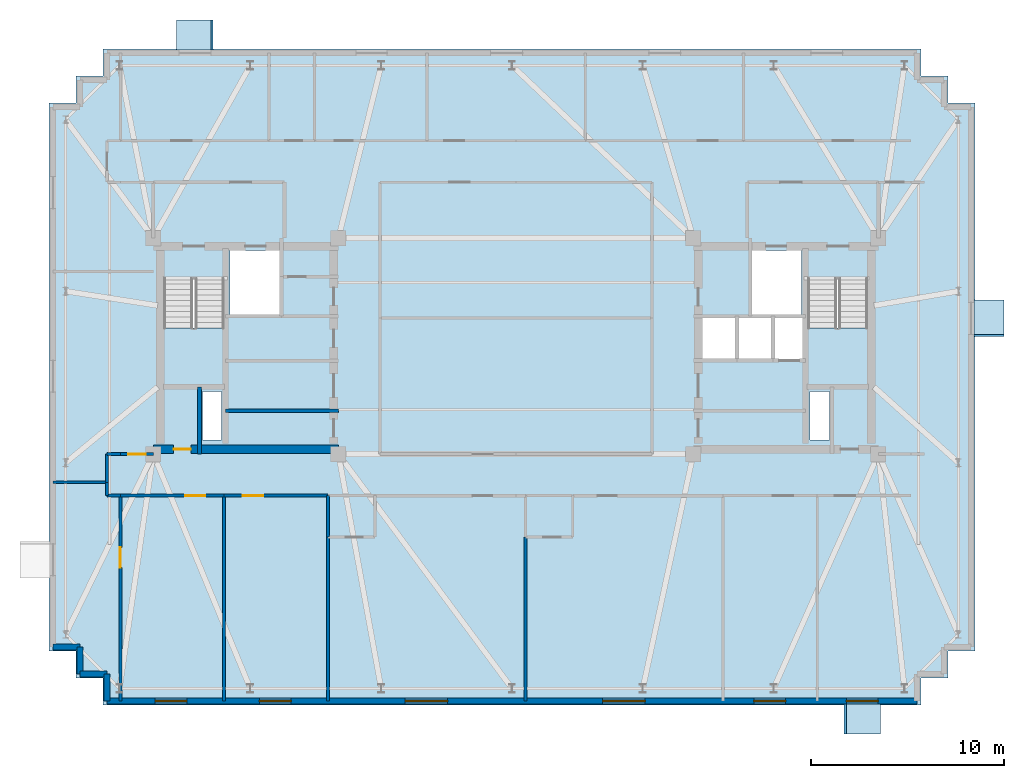
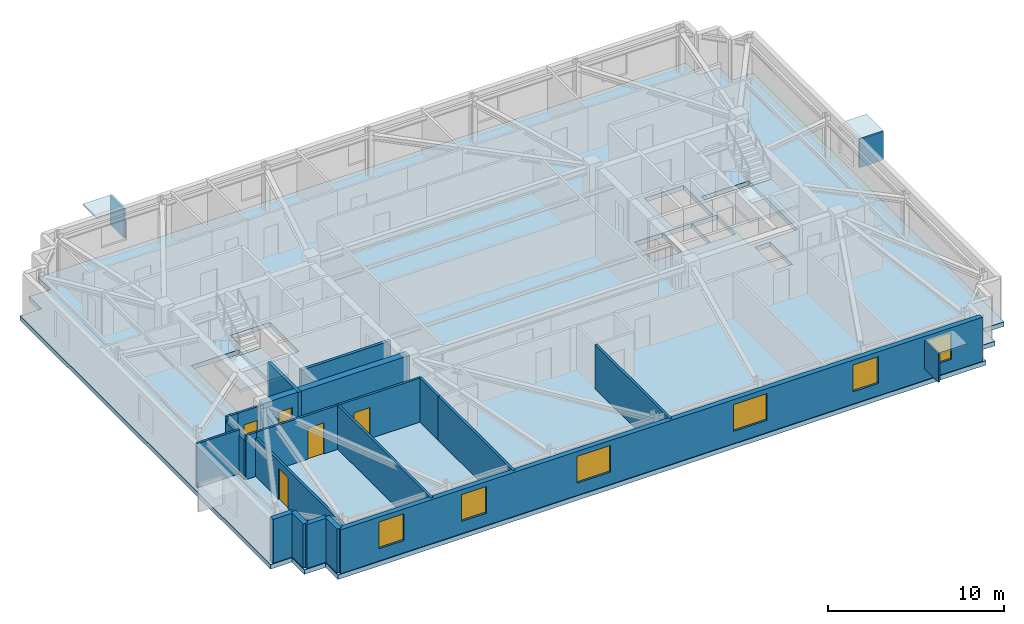
# One storey, part 5 of 11: 21 walls, 6 plates, 6 windows, 5 doors, 3 slabs, 11 openings, 2 elements without a shape of their own.
"""IFC4 building model written with IfcOpenShell, lengths in metres."""

from ifc_helpers import new_model, si_unit, direction, frame, frame_2d, origin, origin_2d, place, context, subcontext, project, spatial, polyline, rectangle, outline, extrude, material, layer, layer_set, type_object, element, fill, aggregate, save


model = new_model("IFC4")

# Units and contexts
model_context = context("Model", 3, precision=1e-05, world=origin(), true_north=direction((0.0, 1.0)))
body_context = subcontext(model_context, "Body", "Model", "MODEL_VIEW")
ifc_project = project(units=[si_unit("LENGTHUNIT", "METRE"), si_unit("AREAUNIT", "SQUARE_METRE"), si_unit("VOLUMEUNIT", "CUBIC_METRE"), si_unit("PLANEANGLEUNIT", "RADIAN"), si_unit("MASSUNIT", "GRAM", prefix="KILO")], contexts=[model_context])

# Site, building, storey
site_placement = place(None, origin())
site = spatial("IfcSite", under=ifc_project, at=site_placement, CompositionType="ELEMENT")
building_placement = place(site_placement, origin())
building = spatial("IfcBuilding", under=site, at=building_placement, Name="Qobustan Lattice House", CompositionType="ELEMENT")
storey_placement = place(building_placement, frame((0.0, 0.0, 251.75)))
storey = spatial("IfcBuildingStorey", under=building, at=storey_placement, Name="L71", CompositionType="ELEMENT", Elevation=251.75)

# Plates
ifc_material_1 = material(Name="Qobustan limestone GFRC", Category="masonry")
ifc_layer_1 = layer(ifc_material_1, 0.1201171875)
ifc_layer_set_1 = layer_set([ifc_layer_1], Name="Qobustan limestone GFRC")
plate_type = type_object("IfcPlateType", Name="SHD-HOOD-BROW", PredefinedType="USERDEFINED", material=ifc_layer_set_1)
plate_1_placement = place(storey_placement, frame((-16.639892578125, 16.1298828125, 2.699951171875), z_axis=(0.0, 0.0, 1.0), x_axis=(1.0, 0.0, 0.0)))
element("IfcPlate", 1, at=plate_1_placement, inside=storey, type_object=plate_type, Name="L71 splayed Qobustan stone hood brow", ObjectType="SUNSHADE", PredefinedType="USERDEFINED", context=body_context, shape_type="SweptSolid", body=[
    extrude(rectangle(XDim=1.889892578125, YDim=1.56005859375, at=origin_2d()), origin(), (0.0, 0.0, 1.0), 0.1201171875),
])
plate_2_placement = place(storey_placement, frame((-15.7548828125, 16.1298828125, 0.7900390625), z_axis=(0.0, 0.0, 1.0), x_axis=(1.0, 0.0, 0.0)))
element("IfcPlate", 2, at=plate_2_placement, inside=storey, type_object=plate_type, Name="L71 splayed Qobustan stone hood cheek", ObjectType="SUNSHADE", PredefinedType="USERDEFINED", context=body_context, shape_type="SweptSolid", body=[
    extrude(rectangle(XDim=0.1201171875, YDim=1.56005859375, at=origin_2d()), origin(), (0.0, 0.0, 1.0), 1.969970703125),
])
plate_3_placement = place(storey_placement, frame((24.530029296875, 1.43994140625, 2.699951171875), z_axis=(0.0, 0.0, 1.0), x_axis=(0.0, -1.0, 0.0)))
element("IfcPlate", 3, at=plate_3_placement, inside=storey, type_object=plate_type, Name="L71 splayed Qobustan stone hood brow", ObjectType="SUNSHADE", PredefinedType="USERDEFINED", context=body_context, shape_type="SweptSolid", body=[
    extrude(rectangle(XDim=1.889892578125, YDim=1.56005859375, at=origin_2d()), origin(), (0.0, 0.0, 1.0), 0.1201171875),
])
plate_4_placement = place(storey_placement, frame((24.530029296875, 0.554931640625, 0.7900390625), z_axis=(0.0, 0.0, 1.0), x_axis=(0.0, -1.0, 0.0)))
element("IfcPlate", 4, at=plate_4_placement, inside=storey, type_object=plate_type, Name="L71 splayed Qobustan stone hood cheek", ObjectType="SUNSHADE", PredefinedType="USERDEFINED", context=body_context, shape_type="SweptSolid", body=[
    extrude(rectangle(XDim=0.1201171875, YDim=1.56005859375, at=origin_2d()), origin(), (0.0, 0.0, 1.0), 1.969970703125),
])
plate_5_placement = place(storey_placement, frame((17.9599609375, -19.330078125, 2.699951171875), z_axis=(0.0, 0.0, 1.0), x_axis=(-1.0, 0.0, 0.0)))
element("IfcPlate", 5, at=plate_5_placement, inside=storey, type_object=plate_type, Name="L71 splayed Qobustan stone hood brow", ObjectType="SUNSHADE", PredefinedType="USERDEFINED", context=body_context, shape_type="SweptSolid", body=[
    extrude(rectangle(XDim=1.889892578125, YDim=1.56005859375, at=origin_2d()), origin(), (0.0, 0.0, 1.0), 0.1201171875),
])
plate_6_placement = place(storey_placement, frame((17.074951171875, -19.330078125, 0.7900390625), z_axis=(0.0, 0.0, 1.0), x_axis=(-1.0, 0.0, 0.0)))
element("IfcPlate", 6, at=plate_6_placement, inside=storey, type_object=plate_type, Name="L71 splayed Qobustan stone hood cheek", ObjectType="SUNSHADE", PredefinedType="USERDEFINED", context=body_context, shape_type="SweptSolid", body=[
    extrude(rectangle(XDim=0.1201171875, YDim=1.56005859375, at=origin_2d()), origin(), (0.0, 0.0, 1.0), 1.969970703125),
])

# Slab
ifc_material_2 = material(Name="Concrete C40/50", Category="concrete")
ifc_layer_2 = layer(ifc_material_2, 0.31005859375)
ifc_layer_set_2 = layer_set([ifc_layer_2], Name="Concrete C40/50")
slab_type_1 = type_object("IfcSlabType", Name="SLB-FLR-310", PredefinedType="FLOOR", material=ifc_layer_set_2)
slab_1_placement = place(storey_placement, frame((0.0, 0.0, -0.31005859375)))
element("IfcSlab", 7, at=slab_1_placement, inside=storey, type_object=slab_type_1, Name="L71 structural floor slab", PredefinedType="FLOOR", context=body_context, shape_type="SweptSolid", body=[
    extrude(outline(polyline([(-21.39990234375, -18.60009765625), (21.0, -18.60009765625), (21.0, -17.199951171875), (22.39990234375, -17.199951171875), (22.39990234375, -15.800048828125), (23.800048828125, -15.800048828125), (23.800048828125, 12.60009765625), (22.39990234375, 12.60009765625), (22.39990234375, 14.0), (21.0, 14.0), (21.0, 15.39990234375), (-21.39990234375, 15.39990234375), (-21.39990234375, 14.0), (-22.800048828125, 14.0), (-22.800048828125, 12.60009765625), (-24.199951171875, 12.60009765625), (-24.199951171875, -15.800048828125), (-22.800048828125, -15.800048828125), (-22.800048828125, -17.199951171875), (-21.39990234375, -17.199951171875), (-21.39990234375, -18.60009765625)]), holes=[polyline([(-18.25, -2.050048828125), (-18.25, 3.489990234375), (-15.1298828125, 3.489990234375), (-15.1298828125, -2.050048828125), (-18.25, -2.050048828125)]), polyline([(15.1298828125, -2.050048828125), (15.1298828125, 3.489990234375), (18.25, 3.489990234375), (18.25, -2.050048828125), (15.1298828125, -2.050048828125)]), polyline([(-14.820068359375, 1.64990234375), (-14.820068359375, 4.9599609375), (-12.25, 4.9599609375), (-12.25, 1.64990234375), (-14.820068359375, 1.64990234375)]), polyline([(12.25, 1.64990234375), (12.25, 4.9599609375), (14.820068359375, 4.9599609375), (14.820068359375, 1.64990234375), (12.25, 1.64990234375)]), polyline([(-16.260009765625, -4.8798828125), (-16.260009765625, -2.360107421875), (-15.260009765625, -2.360107421875), (-15.260009765625, -4.8798828125), (-16.260009765625, -4.8798828125)]), polyline([(15.260009765625, -4.8798828125), (15.260009765625, -2.360107421875), (16.260009765625, -2.360107421875), (16.260009765625, -4.8798828125), (15.260009765625, -4.8798828125)]), polyline([(13.360107421875, -0.679931640625), (13.360107421875, 1.47998046875), (14.97998046875, 1.47998046875), (14.97998046875, -0.679931640625), (13.360107421875, -0.679931640625)]), polyline([(9.6201171875, -0.679931640625), (9.6201171875, 1.47998046875), (11.43994140625, 1.47998046875), (11.43994140625, -0.679931640625), (9.6201171875, -0.679931640625)]), polyline([(11.5, -0.679931640625), (11.5, 1.47998046875), (13.320068359375, 1.47998046875), (13.320068359375, -0.679931640625), (11.5, -0.679931640625)])]), origin(), (0.0, 0.0, 1.0), 0.31005859375),
])

# Stair, slab
ifc_material_3 = material(Name="Concrete C40/50", Category="concrete")
stair_type = type_object("IfcStairType", Name="STR-CORE-DOGLEG", PredefinedType="HALF_TURN_STAIR", material=ifc_material_3)
stair_1_placement = place(storey_placement, origin())
stair_1 = element("IfcStair", 8, at=stair_1_placement, inside=storey, type_object=stair_type, Name="L71 West protected exit stair ST-W1", PredefinedType="HALF_TURN_STAIR")
ifc_material_4 = material(Name="Concrete C40/50", Category="concrete")
ifc_layer_3 = layer(ifc_material_4, 0.199951171875)
ifc_layer_set_3 = layer_set([ifc_layer_3], Name="Concrete C40/50")
slab_type_2 = type_object("IfcSlabType", Name="SLB-LANDING-200", PredefinedType="LANDING", material=ifc_layer_set_3)
slab_2_placement = place(storey_placement, frame((0.0, 0.0, 1.47509765625)))
slab_2 = element("IfcSlab", 9, at=slab_2_placement, type_object=slab_type_2, Name="ST-W1 landing 1", PredefinedType="LANDING", context=body_context, shape_type="SweptSolid", body=[
    extrude(outline(polyline([(-18.25, 0.93505859375), (-18.25, -2.050048828125), (-15.1298828125, -2.050048828125), (-15.1298828125, 0.93505859375), (-18.25, 0.93505859375)])), origin(), (0.0, 0.0, 1.0), 0.199951171875),
])
aggregate(stair_1, [slab_2])

stair_2_placement = place(storey_placement, origin())
stair_2 = element("IfcStair", 10, at=stair_2_placement, inside=storey, type_object=stair_type, Name="L71 East protected exit stair ST-E1", PredefinedType="HALF_TURN_STAIR")
slab_3_placement = place(storey_placement, frame((0.0, 0.0, 1.47509765625)))
slab_3 = element("IfcSlab", 11, at=slab_3_placement, type_object=slab_type_2, Name="ST-E1 landing 1", PredefinedType="LANDING", context=body_context, shape_type="SweptSolid", body=[
    extrude(outline(polyline([(15.1298828125, 0.93505859375), (15.1298828125, -2.050048828125), (18.25, -2.050048828125), (18.25, 0.93505859375), (15.1298828125, 0.93505859375)])), origin(), (0.0, 0.0, 1.0), 0.199951171875),
])
aggregate(stair_2, [slab_3])

# Wall, opening, door
ifc_material_5 = material(Name="Concrete C50/60", Category="concrete")
ifc_layer_4 = layer(ifc_material_5, 0.43994140625)
ifc_layer_set_4 = layer_set([ifc_layer_4], Name="Concrete C50/60")
wall_type_1 = type_object("IfcWallType", Name="WAL-CORE-440", PredefinedType="SHEAR", material=ifc_layer_set_4)
wall_1_placement = place(storey_placement, frame((-18.800048828125, -5.35009765625, 0.0), z_axis=(0.0, 0.0, 1.0), x_axis=(1.0, 0.0, 0.0)))
wall_1 = element("IfcWall", 12, at=wall_1_placement, inside=storey, type_object=wall_type_1, Name="L71 split-core shear wall CW-S", PredefinedType="SHEAR", context=body_context, shape_type="SweptSolid", body=[
    extrude(rectangle(XDim=9.60009765625, YDim=0.43994140625, at=frame_2d((4.800048828125, 0.0))), origin(), (0.0, 0.0, 1.0), 3.0400390625),
])
opening_1_placement = place(wall_1_placement, frame((1.050048828125, 0.0, 0.0)))
opening_1 = element("IfcOpeningElement", 13, at=opening_1_placement, cuts=wall_1, Name="Opening RD-01", PredefinedType="OPENING", context=body_context, shape_type="SweptSolid", body=[
    extrude(rectangle(XDim=0.89990234375, YDim=2.10009765625, at=frame_2d((0.449951171875, 1.050048828125))), frame((0.0, 0.22998046875, 0.0), z_axis=(0.0, -1.0, 0.0), x_axis=(1.0, 0.0, 0.0)), (0.0, 0.0, 1.0), 0.4599609375),
])
ifc_material_6 = material(Name="Persian walnut timber and steel frame door", Category="steel")
door_type_1 = type_object("IfcDoorType", Name="DOR-RISER-FD-900x2100", OperationType="NOTDEFINED", PredefinedType="DOOR", material=ifc_material_6)
door_1_placement = place(opening_1_placement, origin())
door_1 = element("IfcDoor", 14, at=door_1_placement, inside=storey, type_object=door_type_1, Name="L71 core service riser access door W", OperationType="SINGLE_SWING_RIGHT", OverallHeight=2.10009765625, OverallWidth=0.89990234375, PredefinedType="DOOR", context=body_context, shape_type="SweptSolid", body=[
    extrude(rectangle(XDim=0.89990234375, YDim=2.10009765625, at=frame_2d((0.449951171875, 1.050048828125))), frame((0.0, 0.02490234375, 0.0), z_axis=(0.0, -1.0, 0.0), x_axis=(1.0, 0.0, 0.0)), (0.0, 0.0, 1.0), 0.050048828125),
])
fill(opening_1, door_1)

# Walls
ifc_material_7 = material(Name="Precast concrete C40/50", Category="concrete")
ifc_layer_5 = layer(ifc_material_7, 0.320068359375)
ifc_layer_set_5 = layer_set([ifc_layer_5], Name="Precast concrete C40/50")
wall_type_2 = type_object("IfcWallType", Name="WAL-EXT-STONE-320", PredefinedType="SOLIDWALL", material=ifc_layer_set_5)
wall_2_placement = place(storey_placement, frame((-21.199951171875, -18.39990234375, 0.0), z_axis=(0.0, 0.0, 1.0), x_axis=(0.0, 1.0, 0.0)))
element("IfcWall", 15, at=wall_2_placement, inside=storey, type_object=wall_type_2, Name="L71 exterior limestone-clad wall 1", PredefinedType="SOLIDWALL", context=body_context, shape_type="SweptSolid", body=[
    extrude(rectangle(XDim=1.39990234375, YDim=0.320068359375, at=frame_2d((0.699951171875, 0.0))), origin(), (0.0, 0.0, 1.0), 3.0400390625),
])
wall_3_placement = place(storey_placement, frame((-21.199951171875, -17.0, 0.0), z_axis=(0.0, 0.0, 1.0), x_axis=(-1.0, 0.0, 0.0)))
element("IfcWall", 16, at=wall_3_placement, inside=storey, type_object=wall_type_2, Name="L71 exterior limestone-clad wall 2", PredefinedType="SOLIDWALL", context=body_context, shape_type="SweptSolid", body=[
    extrude(rectangle(XDim=1.400146484375, YDim=0.320068359375, at=frame_2d((0.7001953125, 0.0))), origin(), (0.0, 0.0, 1.0), 3.0400390625),
])
for number, where, z_axis, x_axis, name in (
    (17, (-22.60009765625, -17.0, 0.0), (0.0, 0.0, 1.0), (0.0, 1.0, 0.0), "L71 exterior limestone-clad wall 3"),
    (18, (-22.60009765625, -15.60009765625, 0.0), (0.0, 0.0, 1.0), (-1.0, 0.0, 0.0), "L71 exterior limestone-clad wall 4"),
):
    element("IfcWall", number, at=place(storey_placement, frame(where, z_axis=z_axis, x_axis=x_axis)), inside=storey, type_object=wall_type_2, Name=name, PredefinedType="SOLIDWALL", context=body_context, shape_type="SweptSolid", body=[
        extrude(rectangle(XDim=1.39990234375, YDim=0.320068359375, at=frame_2d((0.699951171875, 0.0))), origin(), (0.0, 0.0, 1.0), 3.0400390625),
    ])

# Wall, openings, windows
wall_4_placement = place(storey_placement, frame((20.800048828125, -18.39990234375, 0.0), z_axis=(0.0, 0.0, 1.0), x_axis=(-1.0, 0.0, 0.0)))
wall_4 = element("IfcWall", 19, at=wall_4_placement, inside=storey, type_object=wall_type_2, Name="L71 exterior limestone-clad wall 20", PredefinedType="SOLIDWALL", context=body_context, shape_type="SweptSolid", body=[
    extrude(rectangle(XDim=42.0, YDim=0.320068359375, at=frame_2d((21.0, 0.0))), origin(), (0.0, 0.0, 1.0), 3.0400390625),
])
opening_2_placement = place(wall_4_placement, frame((2.014892578125, 0.0, 0.85009765625)))
opening_2 = element("IfcOpeningElement", 20, at=opening_2_placement, cuts=wall_4, Name="Opening WN-09", PredefinedType="OPENING", context=body_context, shape_type="SweptSolid", body=[
    extrude(rectangle(XDim=1.64990234375, YDim=1.85009765625, at=frame_2d((0.824951171875, 0.925048828125))), frame((0.0, 0.169921875, 0.0), z_axis=(0.0, -1.0, 0.0), x_axis=(1.0, 0.0, 0.0)), (0.0, 0.0, 1.0), 0.340087890625),
])
opening_3_placement = place(wall_4_placement, frame((6.81494140625, 0.0, 0.85009765625)))
opening_3 = element("IfcOpeningElement", 21, at=opening_3_placement, cuts=wall_4, Name="Opening WN-09", PredefinedType="OPENING", context=body_context, shape_type="SweptSolid", body=[
    extrude(rectangle(XDim=1.64990234375, YDim=1.85009765625, at=frame_2d((0.824951171875, 0.925048828125))), frame((0.0, 0.169921875, 0.0), z_axis=(0.0, -1.0, 0.0), x_axis=(1.0, 0.0, 0.0)), (0.0, 0.0, 1.0), 0.340087890625),
])
opening_4_placement = place(wall_4_placement, frame((14.10009765625, 0.0, 0.85009765625)))
opening_4 = element("IfcOpeningElement", 22, at=opening_4_placement, cuts=wall_4, Name="Opening WN-03", PredefinedType="OPENING", context=body_context, shape_type="SweptSolid", body=[
    extrude(rectangle(XDim=2.199951171875, YDim=1.85009765625, at=frame_2d((1.10009765625, 0.925048828125))), frame((0.0, 0.169921875, 0.0), z_axis=(0.0, -1.0, 0.0), x_axis=(1.0, 0.0, 0.0)), (0.0, 0.0, 1.0), 0.340087890625),
])
opening_5_placement = place(wall_4_placement, frame((24.340087890625, 0.0, 0.85009765625)))
opening_5 = element("IfcOpeningElement", 23, at=opening_5_placement, cuts=wall_4, Name="Opening WN-03", PredefinedType="OPENING", context=body_context, shape_type="SweptSolid", body=[
    extrude(rectangle(XDim=2.199951171875, YDim=1.85009765625, at=frame_2d((1.10009765625, 0.925048828125))), frame((0.0, 0.169921875, 0.0), z_axis=(0.0, -1.0, 0.0), x_axis=(1.0, 0.0, 0.0)), (0.0, 0.0, 1.0), 0.340087890625),
])
opening_6_placement = place(wall_4_placement, frame((32.455078125, 0.0, 0.85009765625)))
opening_6 = element("IfcOpeningElement", 24, at=opening_6_placement, cuts=wall_4, Name="Opening WN-09", PredefinedType="OPENING", context=body_context, shape_type="SweptSolid", body=[
    extrude(rectangle(XDim=1.64990234375, YDim=1.85009765625, at=frame_2d((0.824951171875, 0.925048828125))), frame((0.0, 0.169921875, 0.0), z_axis=(0.0, -1.0, 0.0), x_axis=(1.0, 0.0, 0.0)), (0.0, 0.0, 1.0), 0.340087890625),
])
opening_7_placement = place(wall_4_placement, frame((37.85498046875, 0.0, 0.85009765625)))
opening_7 = element("IfcOpeningElement", 25, at=opening_7_placement, cuts=wall_4, Name="Opening WN-09", PredefinedType="OPENING", context=body_context, shape_type="SweptSolid", body=[
    extrude(rectangle(XDim=1.64990234375, YDim=1.85009765625, at=frame_2d((0.824951171875, 0.925048828125))), frame((0.0, 0.169921875, 0.0), z_axis=(0.0, -1.0, 0.0), x_axis=(1.0, 0.0, 0.0)), (0.0, 0.0, 1.0), 0.340087890625),
])
ifc_material_8 = material(Name="Double-glazed low-E aluminium window", Category="aluminium")
window_type_1 = type_object("IfcWindowType", Name="WIN-STU-1650x1850", PartitioningType="SINGLE_PANEL", PredefinedType="WINDOW", material=ifc_material_8)
window_1_placement = place(opening_2_placement, origin())
window_1 = element("IfcWindow", 26, at=window_1_placement, inside=storey, type_object=window_type_1, Name="L71 Academic seminar room window", OverallHeight=1.85009765625, OverallWidth=1.64990234375, PartitioningType="SINGLE_PANEL", PredefinedType="WINDOW", context=body_context, shape_type="SweptSolid", body=[
    extrude(rectangle(XDim=1.64990234375, YDim=1.85009765625, at=frame_2d((0.824951171875, 0.925048828125))), frame((0.0, 0.030029296875, 0.0), z_axis=(0.0, -1.0, 0.0), x_axis=(1.0, 0.0, 0.0)), (0.0, 0.0, 1.0), 0.06005859375),
])
fill(opening_2, window_1)
window_2_placement = place(opening_3_placement, origin())
window_2 = element("IfcWindow", 27, at=window_2_placement, inside=storey, type_object=window_type_1, Name="L71 Group study room window", OverallHeight=1.85009765625, OverallWidth=1.64990234375, PartitioningType="SINGLE_PANEL", PredefinedType="WINDOW", context=body_context, shape_type="SweptSolid", body=[
    extrude(rectangle(XDim=1.64990234375, YDim=1.85009765625, at=frame_2d((0.824951171875, 0.925048828125))), frame((0.0, 0.030029296875, 0.0), z_axis=(0.0, -1.0, 0.0), x_axis=(1.0, 0.0, 0.0)), (0.0, 0.0, 1.0), 0.06005859375),
])
fill(opening_3, window_2)
window_3_placement = place(opening_6_placement, origin())
window_3 = element("IfcWindow", 28, at=window_3_placement, inside=storey, type_object=window_type_1, Name="L71 Focus study room S1B window", OverallHeight=1.85009765625, OverallWidth=1.64990234375, PartitioningType="SINGLE_PANEL", PredefinedType="WINDOW", context=body_context, shape_type="SweptSolid", body=[
    extrude(rectangle(XDim=1.64990234375, YDim=1.85009765625, at=frame_2d((0.824951171875, 0.925048828125))), frame((0.0, 0.030029296875, 0.0), z_axis=(0.0, -1.0, 0.0), x_axis=(1.0, 0.0, 0.0)), (0.0, 0.0, 1.0), 0.06005859375),
])
fill(opening_6, window_3)
window_4_placement = place(opening_7_placement, origin())
window_4 = element("IfcWindow", 29, at=window_4_placement, inside=storey, type_object=window_type_1, Name="L71 Focus study room S1A window", OverallHeight=1.85009765625, OverallWidth=1.64990234375, PartitioningType="SINGLE_PANEL", PredefinedType="WINDOW", context=body_context, shape_type="SweptSolid", body=[
    extrude(rectangle(XDim=1.64990234375, YDim=1.85009765625, at=frame_2d((0.824951171875, 0.925048828125))), frame((0.0, 0.030029296875, 0.0), z_axis=(0.0, -1.0, 0.0), x_axis=(1.0, 0.0, 0.0)), (0.0, 0.0, 1.0), 0.06005859375),
])
fill(opening_7, window_4)
ifc_material_9 = material(Name="Double-glazed low-E aluminium window", Category="aluminium")
window_type_2 = type_object("IfcWindowType", Name="WIN-WIDE-2200x1850", PartitioningType="SINGLE_PANEL", PredefinedType="WINDOW", material=ifc_material_9)
window_5_placement = place(opening_4_placement, origin())
window_5 = element("IfcWindow", 30, at=window_5_placement, inside=storey, type_object=window_type_2, Name="L71 Kitchenette and studio apartment L71-S3 window", OverallHeight=1.85009765625, OverallWidth=2.199951171875, PartitioningType="SINGLE_PANEL", PredefinedType="WINDOW", context=body_context, shape_type="SweptSolid", body=[
    extrude(rectangle(XDim=2.199951171875, YDim=1.85009765625, at=frame_2d((1.10009765625, 0.925048828125))), frame((0.0, 0.030029296875, 0.0), z_axis=(0.0, -1.0, 0.0), x_axis=(1.0, 0.0, 0.0)), (0.0, 0.0, 1.0), 0.06005859375),
])
fill(opening_4, window_5)
window_6_placement = place(opening_5_placement, origin())
window_6 = element("IfcWindow", 31, at=window_6_placement, inside=storey, type_object=window_type_2, Name="L71 Kitchenette and studio apartment L71-S2 window", OverallHeight=1.85009765625, OverallWidth=2.199951171875, PartitioningType="SINGLE_PANEL", PredefinedType="WINDOW", context=body_context, shape_type="SweptSolid", body=[
    extrude(rectangle(XDim=2.199951171875, YDim=1.85009765625, at=frame_2d((1.10009765625, 0.925048828125))), frame((0.0, 0.030029296875, 0.0), z_axis=(0.0, -1.0, 0.0), x_axis=(1.0, 0.0, 0.0)), (0.0, 0.0, 1.0), 0.06005859375),
])
fill(opening_5, window_6)

# Walls
ifc_material_10 = material(Name="Gypsum fireboard acoustic partition", Category="gypsum")
ifc_layer_6 = layer(ifc_material_10, 0.179931640625)
ifc_layer_set_6 = layer_set([ifc_layer_6], Name="Gypsum fireboard acoustic partition")
wall_type_3 = type_object("IfcWallType", Name="WAL-FIRE-180", PredefinedType="PARTITIONING", material=ifc_layer_set_6)
wall_5_placement = place(storey_placement, frame((-15.050048828125, -3.35009765625, 0.0), z_axis=(0.0, 0.0, 1.0), x_axis=(1.0, 0.0, 0.0)))
element("IfcWall", 32, at=wall_5_placement, inside=storey, type_object=wall_type_3, Name="L71 interior partition 10", PredefinedType="PARTITIONING", context=body_context, shape_type="SweptSolid", body=[
    extrude(rectangle(XDim=5.85009765625, YDim=0.179931640625, at=frame_2d((2.925048828125, 0.0))), origin(), (0.0, 0.0, 1.0), 2.7548828125),
])
ifc_material_11 = material(Name="Acoustic twin-stud gypsum partition", Category="gypsum")
ifc_layer_7 = layer(ifc_material_11, 0.14990234375)
ifc_layer_set_7 = layer_set([ifc_layer_7], Name="Acoustic twin-stud gypsum partition")
wall_type_4 = type_object("IfcWallType", Name="WAL-PART-150", PredefinedType="PARTITIONING", material=ifc_layer_set_7)
wall_6_placement = place(storey_placement, frame((-20.5, -7.75, 0.0), z_axis=(0.0, 0.0, 1.0), x_axis=(-1.0, 0.0, 0.0)))
element("IfcWall", 33, at=wall_6_placement, inside=storey, type_object=wall_type_4, Name="L71 interior partition 44", PredefinedType="PARTITIONING", context=body_context, shape_type="SweptSolid", body=[
    extrude(rectangle(XDim=0.699951171875, YDim=0.14990234375, at=frame_2d((0.35009765625, 0.0))), origin(), (0.0, 0.0, 1.0), 3.0400390625),
])
wall_7_placement = place(storey_placement, frame((-21.199951171875, -7.75, 0.0), z_axis=(0.0, 0.0, 1.0), x_axis=(0.0, 1.0, 0.0)))
element("IfcWall", 34, at=wall_7_placement, inside=storey, type_object=wall_type_4, Name="L71 interior partition 45", PredefinedType="PARTITIONING", context=body_context, shape_type="SweptSolid", body=[
    extrude(rectangle(XDim=0.68994140625, YDim=0.14990234375, at=frame_2d((0.344970703125, 0.0))), origin(), (0.0, 0.0, 1.0), 2.695068359375),
])

# Wall, opening, door
wall_8_placement = place(storey_placement, frame((-20.5, -5.60009765625, 0.0), z_axis=(0.0, 0.0, 1.0), x_axis=(1.0, 0.0, 0.0)))
wall_8 = element("IfcWall", 35, at=wall_8_placement, inside=storey, type_object=wall_type_4, Name="L71 interior partition 46", PredefinedType="PARTITIONING", context=body_context, shape_type="SweptSolid", body=[
    extrude(rectangle(XDim=1.699951171875, YDim=0.14990234375, at=frame_2d((0.85009765625, 0.0))), origin(), (0.0, 0.0, 1.0), 3.0400390625),
])
opening_8_placement = place(wall_8_placement, frame((0.39990234375, 0.0, 0.0)))
opening_8 = element("IfcOpeningElement", 36, at=opening_8_placement, cuts=wall_8, Name="Opening WD-01", PredefinedType="OPENING", context=body_context, shape_type="SweptSolid", body=[
    extrude(rectangle(XDim=0.89990234375, YDim=2.10009765625, at=frame_2d((0.449951171875, 1.050048828125))), frame((0.0, 0.0849609375, 0.0), z_axis=(0.0, -1.0, 0.0), x_axis=(1.0, 0.0, 0.0)), (0.0, 0.0, 1.0), 0.169921875),
])
ifc_material_12 = material(Name="Persian walnut timber and steel frame door", Category="steel")
door_type_2 = type_object("IfcDoorType", Name="DOR-WET-900x2100", OperationType="NOTDEFINED", PredefinedType="DOOR", material=ifc_material_12)
door_2_placement = place(opening_8_placement, origin())
door_2 = element("IfcDoor", 37, at=door_2_placement, inside=storey, type_object=door_type_2, Name="L71 South-west floor corridor to Focus study room W2 door", OperationType="SINGLE_SWING_LEFT", OverallHeight=2.10009765625, OverallWidth=0.89990234375, PredefinedType="DOOR", context=body_context, shape_type="SweptSolid", body=[
    extrude(rectangle(XDim=0.89990234375, YDim=2.10009765625, at=frame_2d((0.449951171875, 1.050048828125))), frame((0.0, 0.02490234375, 0.0), z_axis=(0.0, -1.0, 0.0), x_axis=(1.0, 0.0, 0.0)), (0.0, 0.0, 1.0), 0.050048828125),
])
fill(opening_8, door_2)

# Walls
wall_9_placement = place(storey_placement, frame((-21.199951171875, -7.06005859375, 0.0), z_axis=(0.0, 0.0, 1.0), x_axis=(0.0, 1.0, 0.0)))
element("IfcWall", 38, at=wall_9_placement, inside=storey, type_object=wall_type_4, Name="L71 interior partition 47", PredefinedType="PARTITIONING", context=body_context, shape_type="SweptSolid", body=[
    extrude(rectangle(XDim=1.4599609375, YDim=0.14990234375, at=frame_2d((0.72998046875, 0.0))), origin(), (0.0, 0.0, 1.0), 2.695068359375),
])
wall_10_placement = place(storey_placement, frame((-21.199951171875, -5.60009765625, 0.0), z_axis=(0.0, 0.0, 1.0), x_axis=(1.0, 0.0, 0.0)))
element("IfcWall", 39, at=wall_10_placement, inside=storey, type_object=wall_type_4, Name="L71 interior partition 48", PredefinedType="PARTITIONING", context=body_context, shape_type="SweptSolid", body=[
    extrude(rectangle(XDim=0.699951171875, YDim=0.14990234375, at=frame_2d((0.35009765625, 0.0))), origin(), (0.0, 0.0, 1.0), 3.0400390625),
])

# Wall, opening, door
wall_11_placement = place(storey_placement, frame((-15.125, -7.75, 0.0), z_axis=(0.0, 0.0, 1.0), x_axis=(-1.0, 0.0, 0.0)))
wall_11 = element("IfcWall", 40, at=wall_11_placement, inside=storey, type_object=wall_type_4, Name="L71 interior partition 49", PredefinedType="PARTITIONING", context=body_context, shape_type="SweptSolid", body=[
    extrude(rectangle(XDim=5.375, YDim=0.14990234375, at=frame_2d((2.6875, 0.0))), origin(), (0.0, 0.0, 1.0), 3.0400390625),
])
opening_9_placement = place(wall_11_placement, frame((0.9755859375, 0.0, 0.0)))
opening_9 = element("IfcOpeningElement", 41, at=opening_9_placement, cuts=wall_11, Name="Opening ID-02", PredefinedType="OPENING", context=body_context, shape_type="SweptSolid", body=[
    extrude(rectangle(XDim=1.050048828125, YDim=2.14990234375, at=frame_2d((0.52490234375, 1.074951171875))), frame((0.0, 0.0849609375, 0.0), z_axis=(0.0, -1.0, 0.0), x_axis=(1.0, 0.0, 0.0)), (0.0, 0.0, 1.0), 0.169921875),
])
ifc_material_13 = material(Name="Persian walnut timber and steel frame door", Category="steel")
door_type_3 = type_object("IfcDoorType", Name="DOR-STUDY-1050x2150", OperationType="NOTDEFINED", PredefinedType="DOOR", material=ifc_material_13)
door_3_placement = place(opening_9_placement, origin())
door_3 = element("IfcDoor", 42, at=door_3_placement, inside=storey, type_object=door_type_3, Name="L71 South-west floor corridor to Focus study room S1A door", OperationType="SINGLE_SWING_RIGHT", OverallHeight=2.14990234375, OverallWidth=1.050048828125, PredefinedType="DOOR", context=body_context, shape_type="SweptSolid", body=[
    extrude(rectangle(XDim=1.050048828125, YDim=2.14990234375, at=frame_2d((0.52490234375, 1.074951171875))), frame((0.0, 0.02490234375, 0.0), z_axis=(0.0, -1.0, 0.0), x_axis=(1.0, 0.0, 0.0)), (0.0, 0.0, 1.0), 0.050048828125),
])
fill(opening_9, door_3)

wall_12_placement = place(storey_placement, frame((-9.75, -7.75, 0.0), z_axis=(0.0, 0.0, 1.0), x_axis=(-1.0, 0.0, 0.0)))
wall_12 = element("IfcWall", 43, at=wall_12_placement, inside=storey, type_object=wall_type_4, Name="L71 interior partition 50", PredefinedType="PARTITIONING", context=body_context, shape_type="SweptSolid", body=[
    extrude(rectangle(XDim=5.375, YDim=0.14990234375, at=frame_2d((2.6875, 0.0))), origin(), (0.0, 0.0, 1.0), 3.0400390625),
])
opening_10_placement = place(wall_12_placement, frame((3.349365234375, 0.0, 0.0)))
opening_10 = element("IfcOpeningElement", 44, at=opening_10_placement, cuts=wall_12, Name="Opening ID-02", PredefinedType="OPENING", context=body_context, shape_type="SweptSolid", body=[
    extrude(rectangle(XDim=1.050048828125, YDim=2.14990234375, at=frame_2d((0.52490234375, 1.074951171875))), frame((0.0, 0.0849609375, 0.0), z_axis=(0.0, -1.0, 0.0), x_axis=(1.0, 0.0, 0.0)), (0.0, 0.0, 1.0), 0.169921875),
])
door_4_placement = place(opening_10_placement, origin())
door_4 = element("IfcDoor", 45, at=door_4_placement, inside=storey, type_object=door_type_3, Name="L71 South-west floor corridor to Focus study room S1B door", OperationType="SINGLE_SWING_LEFT", OverallHeight=2.14990234375, OverallWidth=1.050048828125, PredefinedType="DOOR", context=body_context, shape_type="SweptSolid", body=[
    extrude(rectangle(XDim=1.050048828125, YDim=2.14990234375, at=frame_2d((0.52490234375, 1.074951171875))), frame((0.0, 0.02490234375, 0.0), z_axis=(0.0, -1.0, 0.0), x_axis=(1.0, 0.0, 0.0)), (0.0, 0.0, 1.0), 0.050048828125),
])
fill(opening_10, door_4)

# Wall
wall_13_placement = place(storey_placement, frame((-24.0, -7.06005859375, 0.0), z_axis=(0.0, 0.0, 1.0), x_axis=(1.0, 0.0, 0.0)))
element("IfcWall", 46, at=wall_13_placement, inside=storey, type_object=wall_type_4, Name="L71 interior partition 66", PredefinedType="PARTITIONING", context=body_context, shape_type="SweptSolid", body=[
    extrude(rectangle(XDim=2.800048828125, YDim=0.14990234375, at=frame_2d((1.39990234375, 0.0))), origin(), (0.0, 0.0, 1.0), 3.0400390625),
])

# Wall, opening, door
wall_14_placement = place(storey_placement, frame((-20.5, -7.75, 0.0), z_axis=(0.0, 0.0, 1.0), x_axis=(0.0, -1.0, 0.0)))
wall_14 = element("IfcWall", 47, at=wall_14_placement, inside=storey, type_object=wall_type_4, Name="L71 interior partition 67", PredefinedType="PARTITIONING", context=body_context, shape_type="SweptSolid", body=[
    extrude(rectangle(XDim=10.64990234375, YDim=0.14990234375, at=frame_2d((5.324951171875, 0.0))), origin(), (0.0, 0.0, 1.0), 2.6650390625),
])
opening_11_placement = place(wall_14_placement, frame((2.68994140625, 0.0, 0.0)))
opening_11 = element("IfcOpeningElement", 48, at=opening_11_placement, cuts=wall_14, Name="Opening ID-02", PredefinedType="OPENING", context=body_context, shape_type="SweptSolid", body=[
    extrude(rectangle(XDim=1.050048828125, YDim=2.14990234375, at=frame_2d((0.52490234375, 1.074951171875))), frame((0.0, 0.0849609375, 0.0), z_axis=(0.0, -1.0, 0.0), x_axis=(1.0, 0.0, 0.0)), (0.0, 0.0, 1.0), 0.169921875),
])
door_5_placement = place(opening_11_placement, origin())
door_5 = element("IfcDoor", 49, at=door_5_placement, inside=storey, type_object=door_type_3, Name="L71 Focus study room W1 to Focus study room S1A door", OperationType="SINGLE_SWING_LEFT", OverallHeight=2.14990234375, OverallWidth=1.050048828125, PredefinedType="DOOR", context=body_context, shape_type="SweptSolid", body=[
    extrude(rectangle(XDim=1.050048828125, YDim=2.14990234375, at=frame_2d((0.52490234375, 1.074951171875))), frame((0.0, 0.02490234375, 0.0), z_axis=(0.0, -1.0, 0.0), x_axis=(1.0, 0.0, 0.0)), (0.0, 0.0, 1.0), 0.050048828125),
])
fill(opening_11, door_5)

# Walls
wall_15_placement = place(storey_placement, frame((-15.125, -7.75, 0.0), z_axis=(0.0, 0.0, 1.0), x_axis=(0.0, -1.0, 0.0)))
element("IfcWall", 50, at=wall_15_placement, inside=storey, type_object=wall_type_4, Name="L71 interior partition 75", PredefinedType="PARTITIONING", context=body_context, shape_type="SweptSolid", body=[
    extrude(rectangle(XDim=10.64990234375, YDim=0.14990234375, at=frame_2d((5.324951171875, 0.0))), origin(), (0.0, 0.0, 1.0), 3.0400390625),
])
for number, where, z_axis, x_axis, name in (
    (51, (-9.75, -9.89990234375, 0.0), (0.0, 0.0, 1.0), (0.0, -1.0, 0.0), "L71 interior partition 76"),
    (52, (0.5, -9.89990234375, 0.0), (0.0, 0.0, 1.0), (0.0, -1.0, 0.0), "L71 interior partition 80"),
):
    element("IfcWall", number, at=place(storey_placement, frame(where, z_axis=z_axis, x_axis=x_axis)), inside=storey, type_object=wall_type_4, Name=name, PredefinedType="PARTITIONING", context=body_context, shape_type="SweptSolid", body=[
        extrude(rectangle(XDim=8.5, YDim=0.14990234375, at=frame_2d((4.25, 0.0))), origin(), (0.0, 0.0, 1.0), 3.0400390625),
    ])
ifc_material_14 = material(Name="Concrete C40/50", Category="concrete")
ifc_layer_8 = layer(ifc_material_14, 0.199951171875)
ifc_layer_set_8 = layer_set([ifc_layer_8], Name="Concrete C40/50")
wall_type_5 = type_object("IfcWallType", Name="WAL-SHAFT-200", PredefinedType="PARTITIONING", material=ifc_layer_set_8)
wall_16_placement = place(storey_placement, frame((-16.39990234375, -5.60009765625, 0.0), z_axis=(0.0, 0.0, 1.0), x_axis=(0.0, 1.0, 0.0)))
element("IfcWall", 53, at=wall_16_placement, inside=storey, type_object=wall_type_5, Name="L71 interior partition 1", PredefinedType="PARTITIONING", context=body_context, shape_type="SweptSolid", body=[
    extrude(rectangle(XDim=3.489990234375, YDim=0.199951171875, at=frame_2d((1.7451171875, 0.0))), origin(), (0.0, 0.0, 1.0), 3.0400390625),
])
ifc_material_15 = material(Name="Moisture-resistant acoustic plumbing wall", Category="gypsum")
ifc_layer_9 = layer(ifc_material_15, 0.14990234375)
ifc_layer_set_9 = layer_set([ifc_layer_9], Name="Moisture-resistant acoustic plumbing wall")
wall_type_6 = type_object("IfcWallType", Name="WAL-WET-150", PredefinedType="PLUMBINGWALL", material=ifc_layer_set_9)
wall_17_placement = place(storey_placement, frame((-9.75, -7.75, 0.0), z_axis=(0.0, 0.0, 1.0), x_axis=(0.0, -1.0, 0.0)))
element("IfcWall", 54, at=wall_17_placement, inside=storey, type_object=wall_type_6, Name="L71 interior partition 77", PredefinedType="PLUMBINGWALL", context=body_context, shape_type="SweptSolid", body=[
    extrude(rectangle(XDim=2.14990234375, YDim=0.14990234375, at=frame_2d((1.074951171875, 0.0))), origin(), (0.0, 0.0, 1.0), 3.0400390625),
])

save(model, "model.ifc")
